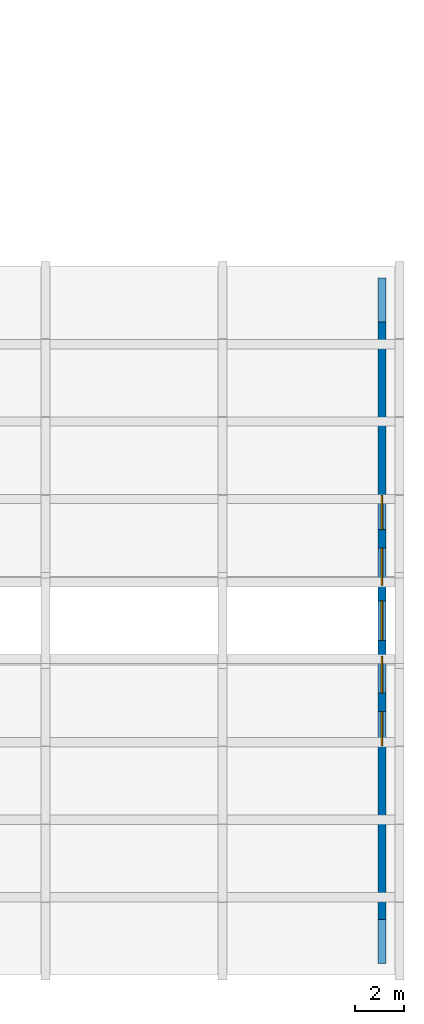
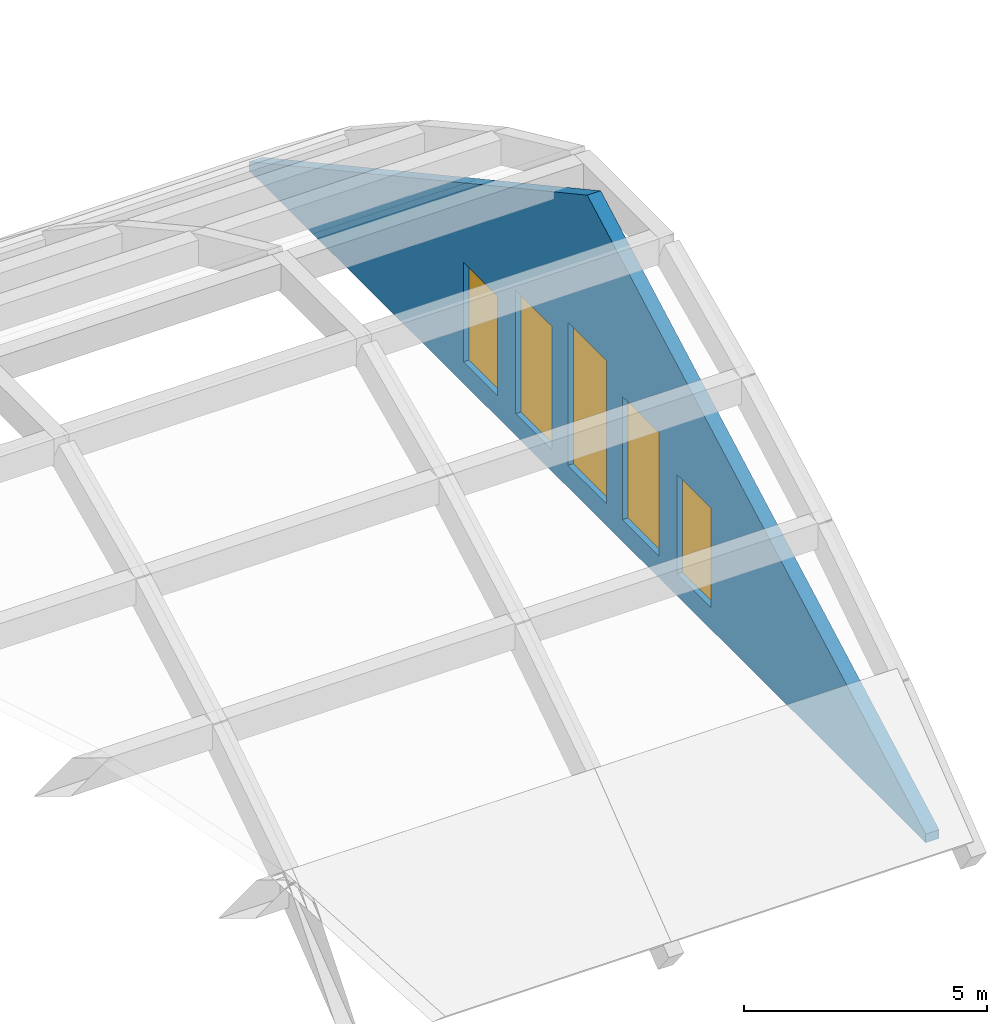
# One storey, part 33 of 48: 5 windows, 1 wall, 5 openings.
"""IFC4 building model written with IfcOpenShell, lengths in metres."""

from ifc_helpers import new_model, si_unit, direction, frame, frame_2d, origin, place, context, subcontext, project, spatial, polyline, rectangle, outline, extrude, material, layer, layer_set, type_object, element, fill, save


model = new_model("IFC4")

# Units and contexts
model_context = context("Model", 3, precision=1e-05, world=origin(), true_north=direction((0.0, 1.0)))
body_context = subcontext(model_context, "Body", "Model", "MODEL_VIEW")
ifc_project = project(units=[si_unit("LENGTHUNIT", "METRE"), si_unit("AREAUNIT", "SQUARE_METRE"), si_unit("VOLUMEUNIT", "CUBIC_METRE"), si_unit("PLANEANGLEUNIT", "RADIAN"), si_unit("MASSUNIT", "GRAM", prefix="KILO")], contexts=[model_context])

# Site, building, storey
site_placement = place(None, origin())
site = spatial("IfcSite", under=ifc_project, at=site_placement, CompositionType="ELEMENT")
building_placement = place(site_placement, origin())
building = spatial("IfcBuilding", under=site, at=building_placement, Name="Alvorim Cloister Faculty of Sciences", CompositionType="ELEMENT")
storey_placement = place(building_placement, frame((0.0, 0.0, 19.35009765625)))
storey = spatial("IfcBuildingStorey", under=building, at=storey_placement, Name="L05", CompositionType="ELEMENT", Elevation=19.35009765625)

# Wall, openings, windows
ifc_material_1 = material(Name="Precast Concrete C40", Category="concrete")
ifc_layer = layer(ifc_material_1, 0.320068359375)
ifc_layer_set = layer_set([ifc_layer], Name="Precast Concrete C40")
wall_type = type_object("IfcWallType", Name="WL-EXT-PC-320", PredefinedType="SOLIDWALL", material=ifc_layer_set)
wall_placement = place(storey_placement, frame((114.47998046875, 0.449951171875, 0.0), z_axis=(0.0, 0.0, 1.0), x_axis=(0.0, 1.0, 0.0)))
wall = element("IfcWall", 1, at=wall_placement, inside=storey, type_object=wall_type, Name="SH-V3 East Gothic Gable Tympanum WL-GBL-0254", PredefinedType="SOLIDWALL", context=body_context, shape_type="SweptSolid", body=[
    extrude(outline(polyline([(0.0, 0.0), (27.900146484375, 0.0), (27.89990234375, 0.219970703125), (13.949951171875, 7.833984375), (0.0, 0.219970703125), (0.0, 0.0)])), frame((0.0, 0.16015625, 0.0), z_axis=(0.0, -1.0, 0.0), x_axis=(1.0, 0.0, 0.0)), (0.0, 0.0, 1.0), 0.320068359375),
])
opening_1_placement = place(wall_placement, frame((8.85009765625, 0.0, 0.550048828125)))
opening_1 = element("IfcOpeningElement", 2, at=opening_1_placement, cuts=wall, Name="Opening WA-03", PredefinedType="OPENING", context=body_context, shape_type="SweptSolid", body=[
    extrude(rectangle(XDim=1.39990234375, YDim=2.5, at=frame_2d((0.699951171875, 1.25))), frame((0.0, 0.171875, 0.0), z_axis=(0.0, -1.0, 0.0), x_axis=(1.0, 0.0, 0.0)), (0.0, 0.0, 1.0), 0.343994140625),
])
opening_2_placement = place(wall_placement, frame((11.0, 0.0, 0.550048828125)))
opening_2 = element("IfcOpeningElement", 3, at=opening_2_placement, cuts=wall, Name="Opening WA-02", PredefinedType="OPENING", context=body_context, shape_type="SweptSolid", body=[
    extrude(rectangle(XDim=1.5, YDim=3.10009765625, at=frame_2d((0.75, 1.550048828125))), frame((0.0, 0.171875, 0.0), z_axis=(0.0, -1.0, 0.0), x_axis=(1.0, 0.0, 0.0)), (0.0, 0.0, 1.0), 0.343994140625),
])
opening_3_placement = place(wall_placement, frame((13.14990234375, 0.0, 0.550048828125)))
opening_3 = element("IfcOpeningElement", 4, at=opening_3_placement, cuts=wall, Name="Opening WA-01", PredefinedType="OPENING", context=body_context, shape_type="SweptSolid", body=[
    extrude(rectangle(XDim=1.60009765625, YDim=3.60009765625, at=frame_2d((0.800048828125, 1.800048828125))), frame((0.0, 0.171875, 0.0), z_axis=(0.0, -1.0, 0.0), x_axis=(1.0, 0.0, 0.0)), (0.0, 0.0, 1.0), 0.343994140625),
])
opening_4_placement = place(wall_placement, frame((15.39990234375, 0.0, 0.550048828125)))
opening_4 = element("IfcOpeningElement", 5, at=opening_4_placement, cuts=wall, Name="Opening WA-02", PredefinedType="OPENING", context=body_context, shape_type="SweptSolid", body=[
    extrude(rectangle(XDim=1.5, YDim=3.10009765625, at=frame_2d((0.75, 1.550048828125))), frame((0.0, 0.171875, 0.0), z_axis=(0.0, -1.0, 0.0), x_axis=(1.0, 0.0, 0.0)), (0.0, 0.0, 1.0), 0.343994140625),
])
opening_5_placement = place(wall_placement, frame((17.64990234375, 0.0, 0.550048828125)))
opening_5 = element("IfcOpeningElement", 6, at=opening_5_placement, cuts=wall, Name="Opening WA-03", PredefinedType="OPENING", context=body_context, shape_type="SweptSolid", body=[
    extrude(rectangle(XDim=1.39990234375, YDim=2.5, at=frame_2d((0.699951171875, 1.25))), frame((0.0, 0.171875, 0.0), z_axis=(0.0, -1.0, 0.0), x_axis=(1.0, 0.0, 0.0)), (0.0, 0.0, 1.0), 0.343994140625),
])
ifc_material_2 = material(Name="Double Low-E Laminated Glass", Category="glass")
window_type_1 = type_object("IfcWindowType", Name="WN-ARCH-1400x2500", PartitioningType="SINGLE_PANEL", PredefinedType="WINDOW", material=ifc_material_2)
window_1_placement = place(opening_1_placement, origin())
window_1 = element("IfcWindow", 7, at=window_1_placement, inside=storey, type_object=window_type_1, Name="SH-V3 East Lancet Clerestory WN-0285", OverallHeight=2.5, OverallWidth=1.39990234375, PartitioningType="SINGLE_PANEL", PredefinedType="WINDOW", context=body_context, shape_type="SweptSolid", body=[
    extrude(rectangle(XDim=1.39990234375, YDim=2.5, at=frame_2d((0.699951171875, 1.25))), frame((0.0, 0.030029296875, 0.0), z_axis=(0.0, -1.0, 0.0), x_axis=(1.0, 0.0, 0.0)), (0.0, 0.0, 1.0), 0.06005859375),
])
fill(opening_1, window_1)
window_2_placement = place(opening_5_placement, origin())
window_2 = element("IfcWindow", 8, at=window_2_placement, inside=storey, type_object=window_type_1, Name="SH-V3 East Lancet Clerestory WN-0289", OverallHeight=2.5, OverallWidth=1.39990234375, PartitioningType="SINGLE_PANEL", PredefinedType="WINDOW", context=body_context, shape_type="SweptSolid", body=[
    extrude(rectangle(XDim=1.39990234375, YDim=2.5, at=frame_2d((0.699951171875, 1.25))), frame((0.0, 0.030029296875, 0.0), z_axis=(0.0, -1.0, 0.0), x_axis=(1.0, 0.0, 0.0)), (0.0, 0.0, 1.0), 0.06005859375),
])
fill(opening_5, window_2)
window_type_2 = type_object("IfcWindowType", Name="WN-ARCH-1500x3100", PartitioningType="SINGLE_PANEL", PredefinedType="WINDOW", material=ifc_material_2)
window_3_placement = place(opening_2_placement, origin())
window_3 = element("IfcWindow", 9, at=window_3_placement, inside=storey, type_object=window_type_2, Name="SH-V3 East Lancet Clerestory WN-0286", OverallHeight=3.10009765625, OverallWidth=1.5, PartitioningType="SINGLE_PANEL", PredefinedType="WINDOW", context=body_context, shape_type="SweptSolid", body=[
    extrude(rectangle(XDim=1.5, YDim=3.10009765625, at=frame_2d((0.75, 1.550048828125))), frame((0.0, 0.030029296875, 0.0), z_axis=(0.0, -1.0, 0.0), x_axis=(1.0, 0.0, 0.0)), (0.0, 0.0, 1.0), 0.06005859375),
])
fill(opening_2, window_3)
window_4_placement = place(opening_4_placement, origin())
window_4 = element("IfcWindow", 10, at=window_4_placement, inside=storey, type_object=window_type_2, Name="SH-V3 East Lancet Clerestory WN-0288", OverallHeight=3.10009765625, OverallWidth=1.5, PartitioningType="SINGLE_PANEL", PredefinedType="WINDOW", context=body_context, shape_type="SweptSolid", body=[
    extrude(rectangle(XDim=1.5, YDim=3.10009765625, at=frame_2d((0.75, 1.550048828125))), frame((0.0, 0.030029296875, 0.0), z_axis=(0.0, -1.0, 0.0), x_axis=(1.0, 0.0, 0.0)), (0.0, 0.0, 1.0), 0.06005859375),
])
fill(opening_4, window_4)
window_type_3 = type_object("IfcWindowType", Name="WN-ARCH-1600x3600", PartitioningType="SINGLE_PANEL", PredefinedType="WINDOW", material=ifc_material_2)
window_5_placement = place(opening_3_placement, origin())
window_5 = element("IfcWindow", 11, at=window_5_placement, inside=storey, type_object=window_type_3, Name="SH-V3 East Lancet Clerestory WN-0287", OverallHeight=3.60009765625, OverallWidth=1.60009765625, PartitioningType="SINGLE_PANEL", PredefinedType="WINDOW", context=body_context, shape_type="SweptSolid", body=[
    extrude(rectangle(XDim=1.60009765625, YDim=3.60009765625, at=frame_2d((0.800048828125, 1.800048828125))), frame((0.0, 0.030029296875, 0.0), z_axis=(0.0, -1.0, 0.0), x_axis=(1.0, 0.0, 0.0)), (0.0, 0.0, 1.0), 0.06005859375),
])
fill(opening_3, window_5)

save(model, "model.ifc")
